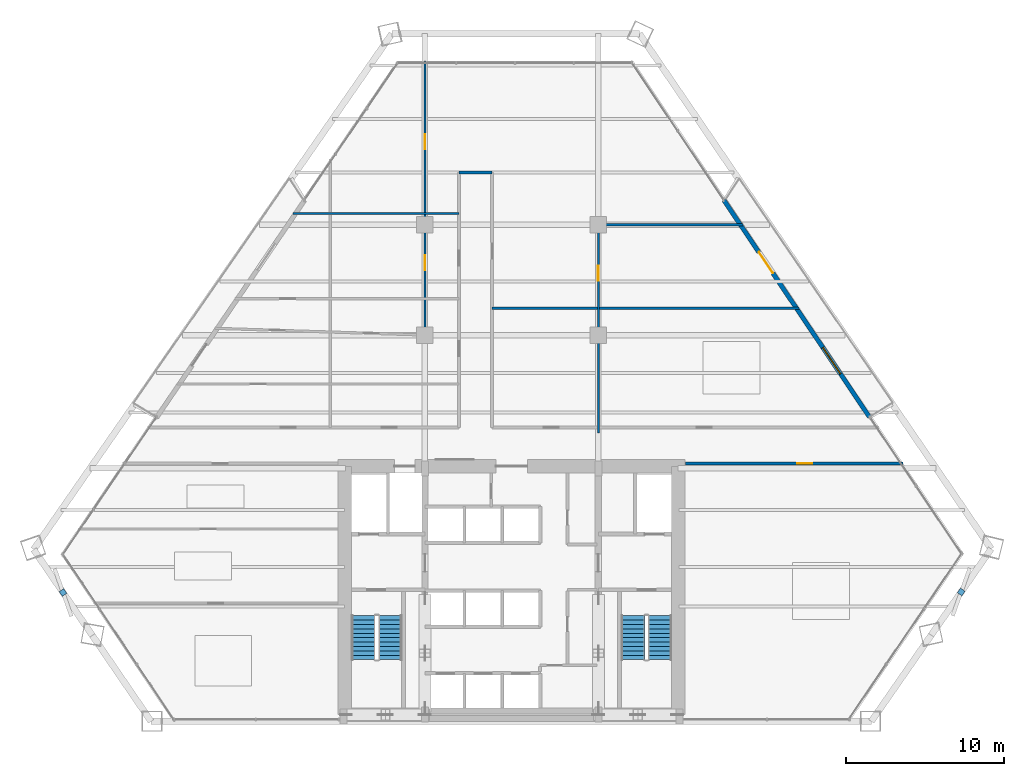
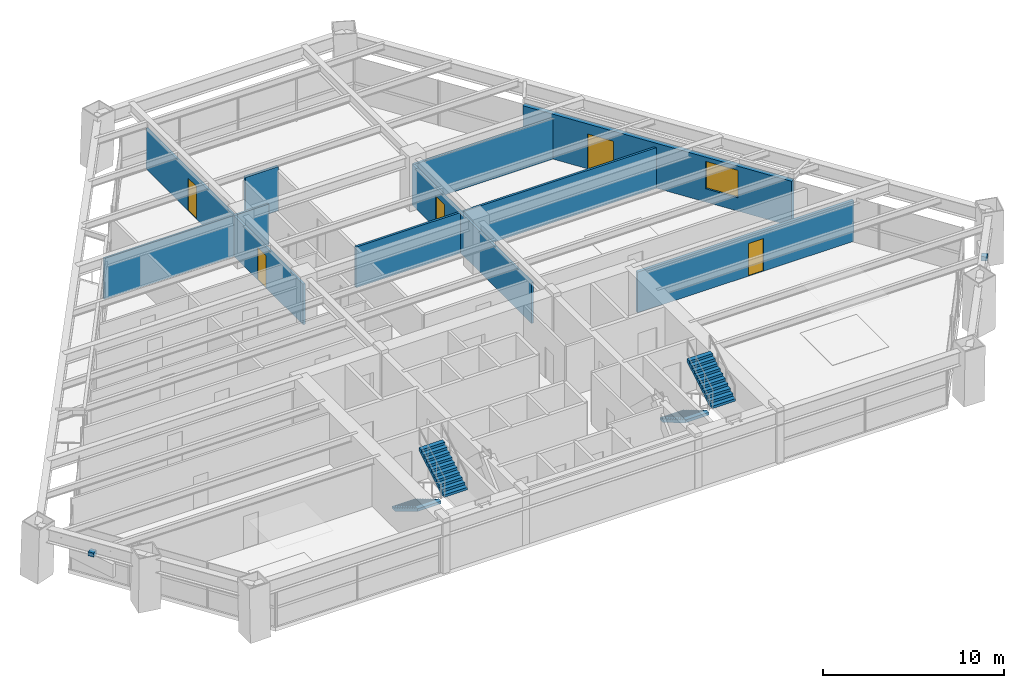
# One storey, part 12 of 14: 8 walls, 5 doors, 4 stair flights, 2 discrete accessories, 1 window, 6 openings, 2 elements without a shape of their own.
"""IFC4 building model written with IfcOpenShell, lengths in metres."""

from ifc_helpers import new_model, si_unit, direction, frame, frame_2d, origin, origin_2d, place, context, subcontext, project, spatial, polyline, rectangle, outline, extrude, source, transform, mapped, material, layer, layer_set, type_object, type_shapes, element, fill, aggregate, save


model = new_model("IFC4")

# Units and contexts
model_context = context("Model", 3, precision=1e-05, world=origin(), true_north=direction((0.0, 1.0)))
body_context = subcontext(model_context, "Body", "Model", "MODEL_VIEW")
ifc_project = project(units=[si_unit("LENGTHUNIT", "METRE"), si_unit("AREAUNIT", "SQUARE_METRE"), si_unit("VOLUMEUNIT", "CUBIC_METRE"), si_unit("PLANEANGLEUNIT", "RADIAN"), si_unit("MASSUNIT", "GRAM", prefix="KILO")], contexts=[model_context])

# Site, building, storey
site_placement = place(None, origin())
site = spatial("IfcSite", under=ifc_project, at=site_placement, CompositionType="ELEMENT")
building_placement = place(site_placement, origin())
building = spatial("IfcBuilding", under=site, at=building_placement, Name="Varnakhor Terracotta Tower", CompositionType="ELEMENT")
storey_placement = place(building_placement, frame((0.0, 0.0, 46.0)))
storey = spatial("IfcBuildingStorey", under=building, at=storey_placement, Name="L10", CompositionType="ELEMENT", Elevation=46.0)

# Wall, opening, door
ifc_material_1 = material(Name="Fire-Rated Gypsum Stud Partition", Category="gypsum")
ifc_layer_1 = layer(ifc_material_1, 0.18505859375, Name="Fire-Rated Gypsum Stud Partition")
ifc_layer_set_1 = layer_set([ifc_layer_1], Name="Fire-Rated Gypsum Stud Partition")
wall_type_1 = type_object("IfcWallType", Name="WAL-CORR-185", PredefinedType="PARTITIONING", material=ifc_layer_set_1)
wall_1_placement = place(storey_placement, frame((11.02001953125, 16.35009765625, 0.0), z_axis=(0.0, 0.0, 1.0), x_axis=(1.0, 0.0, 0.0)))
wall_1 = element("IfcWall", 1, at=wall_1_placement, inside=storey, type_object=wall_type_1, Name="L10 South East Corridor Wall", PredefinedType="PARTITIONING", context=body_context, shape_type="SweptSolid", body=[
    extrude(rectangle(XDim=13.809326171875, YDim=0.18505859375, at=frame_2d((6.90478515625, 0.0))), origin(), (0.0, 0.0, 1.0), 2.7470703125),
])
opening_1_placement = place(wall_1_placement, frame((7.086181640625, 0.0, 0.0)))
opening_1 = element("IfcOpeningElement", 2, at=opening_1_placement, cuts=wall_1, Name="Opening DR-94", PredefinedType="OPENING", context=body_context, shape_type="SweptSolid", body=[
    extrude(rectangle(XDim=0.949951171875, YDim=2.199951171875, at=frame_2d((0.47509765625, 1.10009765625))), frame((0.0, 0.1025390625, 0.0), z_axis=(0.0, -1.0, 0.0), x_axis=(1.0, 0.0, 0.0)), (0.0, 0.0, 1.0), 0.205078125),
])
ifc_material_2 = material(Name="Acoustic Glazed-Vision Timber Office Door", Category="wood")
door_type_1 = type_object("IfcDoorType", Name="DR-OFF-950X2200", OperationType="NOTDEFINED", PredefinedType="DOOR", material=ifc_material_2)
shared_shape_1 = source(origin(), body_context, "Body", "SweptSolid", [
    extrude(rectangle(XDim=0.949951171875, YDim=2.199951171875, at=frame_2d((0.47509765625, 1.10009765625))), frame((0.0, 0.02490234375, 0.0), z_axis=(0.0, -1.0, 0.0), x_axis=(1.0, 0.0, 0.0)), (0.0, 0.0, 1.0), 0.050048828125),
])
type_shapes(door_type_1, [shared_shape_1])
door_1_placement = place(opening_1_placement, origin())
door_1 = element("IfcDoor", 3, at=door_1_placement, inside=storey, type_object=door_type_1, Name="L10 SE Suite Door", OperationType="SINGLE_SWING_RIGHT", OverallHeight=2.199951171875, OverallWidth=0.949951171875, PredefinedType="DOOR", context=body_context, shape_type="MappedRepresentation", body=[
    mapped(shared_shape_1, transform((0.0, 0.0, 0.0), scale=1.0)),
])
fill(opening_1, door_1)

# Wall
wall_2_placement = place(storey_placement, frame((-3.35009765625, 34.800048828125, 0.0), z_axis=(0.0, 0.0, 1.0), x_axis=(1.0, 0.0, 0.0)))
element("IfcWall", 4, at=wall_2_placement, inside=storey, type_object=wall_type_1, Name="L10 Spine North End Wall", PredefinedType="PARTITIONING", context=body_context, shape_type="SweptSolid", body=[
    extrude(rectangle(XDim=2.10009765625, YDim=0.18505859375, at=frame_2d((1.050048828125, 0.0))), origin(), (0.0, 0.0, 1.0), 2.97900390625),
])

# Wall, openings, door, window
ifc_material_3 = material(Name="Extruded Architectural Terracotta Assembly", Category="masonry")
ifc_layer_2 = layer(ifc_material_3, 0.280029296875, Name="Extruded Architectural Terracotta Assembly")
ifc_layer_set_2 = layer_set([ifc_layer_2], Name="Extruded Architectural Terracotta Assembly")
wall_type_2 = type_object("IfcWallType", Name="WAL-EXT-TERRACOTTA-280", PredefinedType="SOLIDWALL", material=ifc_layer_set_2)
wall_3_placement = place(storey_placement, frame((13.4609375, 33.053466796875, 0.0), z_axis=(0.0, 0.0, 1.0), x_axis=(0.557313833553, -0.830301927573, 0.0)))
wall_3 = element("IfcWall", 5, at=wall_3_placement, inside=storey, type_object=wall_type_2, Name="L10 E Loggia Insulated Terracotta Wall", PredefinedType="SOLIDWALL", context=body_context, shape_type="SweptSolid", body=[
    extrude(rectangle(XDim=16.559326171875, YDim=0.280029296875, at=frame_2d((8.27978515625, 0.0))), origin(), (0.0, 0.0, 1.0), 3.030029296875),
])
opening_2_placement = place(wall_3_placement, frame((3.974365234375, 0.0, 0.0)))
opening_2 = element("IfcOpeningElement", 6, at=opening_2_placement, cuts=wall_3, Name="Opening DR-62", PredefinedType="OPENING", context=body_context, shape_type="SweptSolid", body=[
    extrude(rectangle(XDim=1.60009765625, YDim=2.35009765625, at=frame_2d((0.800048828125, 1.175048828125))), frame((0.0, 0.14990234375, 0.0), z_axis=(0.0, -1.0, 0.0), x_axis=(1.0, 0.0, 0.0)), (0.0, 0.0, 1.0), 0.300048828125),
])
opening_3_placement = place(wall_3_placement, frame((11.260498046875, 0.0, 0.89990234375)))
opening_3 = element("IfcOpeningElement", 7, at=opening_3_placement, cuts=wall_3, Name="Opening WN-26", PredefinedType="OPENING", context=body_context, shape_type="SweptSolid", body=[
    extrude(rectangle(XDim=2.0, YDim=1.85009765625, at=frame_2d((1.0, 0.925048828125))), frame((0.0, 0.14990234375, 0.0), z_axis=(0.0, -1.0, 0.0), x_axis=(1.0, 0.0, 0.0)), (0.0, 0.0, 1.0), 0.300048828125),
])
ifc_material_4 = material(Name="Thermally Broken Sliding Glass Loggia Door", Category="glass")
door_type_2 = type_object("IfcDoorType", Name="DR-EXT-LOGGIA-1600X2350", OperationType="NOTDEFINED", PredefinedType="DOOR", material=ifc_material_4)
shared_shape_2 = source(origin(), body_context, "Body", "SweptSolid", [
    extrude(rectangle(XDim=1.60009765625, YDim=2.35009765625, at=frame_2d((0.800048828125, 1.175048828125))), frame((0.0, 0.02490234375, 0.0), z_axis=(0.0, -1.0, 0.0), x_axis=(1.0, 0.0, 0.0)), (0.0, 0.0, 1.0), 0.050048828125),
])
type_shapes(door_type_2, [shared_shape_2])
door_2_placement = place(opening_2_placement, origin())
door_2 = element("IfcDoor", 8, at=door_2_placement, inside=storey, type_object=door_type_2, Name="L10 E Recessed Loggia Sliding Door", OperationType="SLIDING_TO_RIGHT", OverallHeight=2.35009765625, OverallWidth=1.60009765625, PredefinedType="DOOR", context=body_context, shape_type="MappedRepresentation", body=[
    mapped(shared_shape_2, transform((0.0, 0.0, 0.0), scale=1.0)),
])
fill(opening_2, door_2)
ifc_material_5 = material(Name="Solar-Control Low-E Insulated Glass Unit", Category="glass")
window_type = type_object("IfcWindowType", Name="WIN-OFF-2200X2100", PartitioningType="SINGLE_PANEL", PredefinedType="WINDOW", material=ifc_material_5)
shared_shape_3 = source(origin(), body_context, "Body", "SweptSolid", [
    extrude(rectangle(XDim=2.0, YDim=1.85009765625, at=frame_2d((1.0, 0.925048828125))), frame((0.0, 0.030029296875, 0.0), z_axis=(0.0, -1.0, 0.0), x_axis=(1.0, 0.0, 0.0)), (0.0, 0.0, 1.0), 0.06005859375),
])
type_shapes(window_type, [shared_shape_3])
window_placement = place(opening_3_placement, origin())
window = element("IfcWindow", 9, at=window_placement, inside=storey, type_object=window_type, Name="L10 E Facet Punched Window", OverallHeight=1.85009765625, OverallWidth=2.0, PartitioningType="SINGLE_PANEL", PredefinedType="WINDOW", context=body_context, shape_type="MappedRepresentation", body=[
    mapped(shared_shape_3, transform((0.0, 0.0, 0.0), scale=1.0)),
])
fill(opening_3, window)

# Wall, openings, doors
ifc_material_6 = material(Name="Acoustic Metal-Stud Partition", Category="gypsum")
ifc_layer_3 = layer(ifc_material_6, 0.139892578125, Name="Acoustic Metal-Stud Partition")
ifc_layer_set_3 = layer_set([ifc_layer_3], Name="Acoustic Metal-Stud Partition")
wall_type_3 = type_object("IfcWallType", Name="WAL-PART-140", PredefinedType="PARTITIONING", material=ifc_layer_set_3)
wall_4_placement = place(storey_placement, frame((-5.5, 24.5, 0.0), z_axis=(0.0, 0.0, 1.0), x_axis=(0.0, 1.0, 0.0)))
wall_4 = element("IfcWall", 10, at=wall_4_placement, inside=storey, type_object=wall_type_3, Name="L10 West Upper Column Wall", PredefinedType="PARTITIONING", context=body_context, shape_type="SweptSolid", body=[
    extrude(rectangle(XDim=17.37109375, YDim=0.139892578125, at=frame_2d((8.685546875, 0.0))), origin(), (0.0, 0.0, 1.0), 2.7470703125),
])
opening_4_placement = place(wall_4_placement, frame((11.77734375, 0.0, 0.0)))
opening_4 = element("IfcOpeningElement", 11, at=opening_4_placement, cuts=wall_4, Name="Opening DR-94", PredefinedType="OPENING", context=body_context, shape_type="SweptSolid", body=[
    extrude(rectangle(XDim=0.949951171875, YDim=2.199951171875, at=frame_2d((0.47509765625, 1.10009765625))), frame((0.0, 0.080078125, 0.0), z_axis=(0.0, -1.0, 0.0), x_axis=(1.0, 0.0, 0.0)), (0.0, 0.0, 1.0), 0.159912109375),
])
opening_5_placement = place(wall_4_placement, frame((4.100341796875, 0.0, 0.0)))
opening_5 = element("IfcOpeningElement", 12, at=opening_5_placement, cuts=wall_4, Name="Opening DR-94", PredefinedType="OPENING", context=body_context, shape_type="SweptSolid", body=[
    extrude(rectangle(XDim=0.949951171875, YDim=2.199951171875, at=frame_2d((0.47509765625, 1.10009765625))), frame((0.0, 0.080078125, 0.0), z_axis=(0.0, -1.0, 0.0), x_axis=(1.0, 0.0, 0.0)), (0.0, 0.0, 1.0), 0.159912109375),
])
door_3_placement = place(opening_4_placement, origin())
door_3 = element("IfcDoor", 13, at=door_3_placement, inside=storey, type_object=door_type_1, Name="L10 Trading Workplace East B19 Door", OperationType="SINGLE_SWING_RIGHT", OverallHeight=2.199951171875, OverallWidth=0.949951171875, PredefinedType="DOOR", context=body_context, shape_type="MappedRepresentation", body=[
    mapped(shared_shape_1, transform((0.0, 0.0, 0.0), scale=1.0)),
])
fill(opening_4, door_3)
door_4_placement = place(opening_5_placement, origin())
door_4 = element("IfcDoor", 14, at=door_4_placement, inside=storey, type_object=door_type_1, Name="L10 Client Reception Door", OperationType="SINGLE_SWING_LEFT", OverallHeight=2.199951171875, OverallWidth=0.949951171875, PredefinedType="DOOR", context=body_context, shape_type="MappedRepresentation", body=[
    mapped(shared_shape_1, transform((0.0, 0.0, 0.0), scale=1.0)),
])
fill(opening_5, door_4)

# Wall, opening, door
wall_5_placement = place(storey_placement, frame((5.5, 18.300048828125, 0.0), z_axis=(0.0, 0.0, 1.0), x_axis=(0.0, 1.0, 0.0)))
wall_5 = element("IfcWall", 15, at=wall_5_placement, inside=storey, type_object=wall_type_3, Name="L10 East Lower Column Wall", PredefinedType="PARTITIONING", context=body_context, shape_type="SweptSolid", body=[
    extrude(rectangle(XDim=13.199951171875, YDim=0.139892578125, at=frame_2d((6.60009765625, 0.0))), origin(), (0.0, 0.0, 1.0), 2.7470703125),
])
opening_6_placement = place(wall_5_placement, frame((9.64208984375, 0.0, 0.0)))
opening_6 = element("IfcOpeningElement", 16, at=opening_6_placement, cuts=wall_5, Name="Opening DR-94", PredefinedType="OPENING", context=body_context, shape_type="SweptSolid", body=[
    extrude(rectangle(XDim=0.949951171875, YDim=2.199951171875, at=frame_2d((0.47509765625, 1.10009765625))), frame((0.0, 0.080078125, 0.0), z_axis=(0.0, -1.0, 0.0), x_axis=(1.0, 0.0, 0.0)), (0.0, 0.0, 1.0), 0.159912109375),
])
door_5_placement = place(opening_6_placement, origin())
door_5 = element("IfcDoor", 17, at=door_5_placement, inside=storey, type_object=door_type_1, Name="L10 Seminar Training Room Door", OperationType="SINGLE_SWING_RIGHT", OverallHeight=2.199951171875, OverallWidth=0.949951171875, PredefinedType="DOOR", context=body_context, shape_type="MappedRepresentation", body=[
    mapped(shared_shape_1, transform((0.0, 0.0, 0.0), scale=1.0)),
])
fill(opening_6, door_5)

# Walls
wall_6_placement = place(storey_placement, frame((5.5, 31.5, 0.0), z_axis=(0.0, 0.0, 1.0), x_axis=(1.0, 0.0, 0.0)))
element("IfcWall", 18, at=wall_6_placement, inside=storey, type_object=wall_type_3, Name="L10 North East Column Wall", PredefinedType="PARTITIONING", context=body_context, shape_type="SweptSolid", body=[
    extrude(rectangle(XDim=9.160400390625, YDim=0.139892578125, at=frame_2d((4.580078125, 0.0))), origin(), (0.0, 0.0, 1.0), 2.7470703125),
])
wall_7_placement = place(storey_placement, frame((-13.864013671875, 32.199951171875, 0.0), z_axis=(0.0, 0.0, 1.0), x_axis=(1.0, 0.0, 0.0)))
element("IfcWall", 19, at=wall_7_placement, inside=storey, type_object=wall_type_3, Name="L10 West Wing Cut 3", PredefinedType="PARTITIONING", context=body_context, shape_type="SweptSolid", body=[
    extrude(rectangle(XDim=10.513916015625, YDim=0.139892578125, at=frame_2d((5.2568359375, 0.0))), origin(), (0.0, 0.0, 1.0), 2.7470703125),
])
wall_8_placement = place(storey_placement, frame((-1.25, 26.199951171875, 0.0), z_axis=(0.0, 0.0, 1.0), x_axis=(1.0, 0.0, 0.0)))
element("IfcWall", 20, at=wall_8_placement, inside=storey, type_object=wall_type_3, Name="L10 East Wing Cut 1", PredefinedType="PARTITIONING", context=body_context, shape_type="SweptSolid", body=[
    extrude(rectangle(XDim=19.4677734375, YDim=0.139892578125, at=frame_2d((9.73388671875, 0.0))), origin(), (0.0, 0.0, 1.0), 2.7470703125),
])

# Stair, stair flights
ifc_material_7 = material(Name="Concrete C40/50", Category="concrete")
stair_type = type_object("IfcStairType", Name="STR-CORE-OFFICE-1500", PredefinedType="HALF_TURN_STAIR", material=ifc_material_7)
stair_1_placement = place(storey_placement, origin())
stair_1 = element("IfcStair", 21, at=stair_1_placement, inside=storey, type_object=stair_type, Name="L10 Core Exit Stair ST-1", PredefinedType="HALF_TURN_STAIR")
stair_flight_type = type_object("IfcStairFlightType", Name="FLT-CORE-1500", PredefinedType="STRAIGHT", material=ifc_material_7)
stair_flight_1_placement = place(storey_placement, frame((-9.39990234375, 6.7099609375, 0.0), z_axis=(0.0, 0.0, 1.0), x_axis=(0.0, -1.0, 0.0)))
stair_flight_1 = element("IfcStairFlight", 22, at=stair_flight_1_placement, type_object=stair_flight_type, Name="ST-1 flight 1", NumberOfRisers=11, NumberOfTreads=10, PredefinedType="STRAIGHT", RiserHeight=0.168181818, TreadLength=0.28, context=body_context, shape_type="SweptSolid", body=[
    extrude(outline(polyline([(0.0, 0.0), (0.0, 0.168212890625), (0.280029296875, 0.168212890625), (0.280029296875, 0.33642578125), (0.56005859375, 0.33642578125), (0.56005859375, 0.504638671875), (0.840087890625, 0.504638671875), (0.840087890625, 0.672607421875), (1.1201171875, 0.672607421875), (1.1201171875, 0.8408203125), (1.39990234375, 0.8408203125), (1.39990234375, 1.009033203125), (1.679931640625, 1.009033203125), (1.679931640625, 1.17724609375), (1.9599609375, 1.17724609375), (1.9599609375, 1.345458984375), (2.239990234375, 1.345458984375), (2.239990234375, 1.513671875), (2.52001953125, 1.513671875), (2.52001953125, 1.681884765625), (2.800048828125, 1.681884765625), (2.800048828125, 1.85009765625), (2.800048828125, 1.495361328125), (0.310546875, 0.0), (0.0, 0.0)])), frame((0.0, 0.75, 0.0), z_axis=(0.0, -1.0, 0.0), x_axis=(1.0, 0.0, 0.0)), (0.0, 0.0, 1.0), 1.5),
])
stair_flight_2_placement = place(storey_placement, frame((-7.699951171875, 3.909912109375, 1.85009765625), z_axis=(0.0, 0.0, 1.0), x_axis=(0.0, 1.0, 0.0)))
stair_flight_2 = element("IfcStairFlight", 23, at=stair_flight_2_placement, type_object=stair_flight_type, Name="ST-1 flight 2", NumberOfRisers=11, NumberOfTreads=10, PredefinedType="STRAIGHT", RiserHeight=0.168181818, TreadLength=0.28, context=body_context, shape_type="SweptSolid", body=[
    extrude(outline(polyline([(0.0, 0.0), (0.0, 0.168212890625), (0.280029296875, 0.168212890625), (0.280029296875, 0.33642578125), (0.56005859375, 0.33642578125), (0.56005859375, 0.504638671875), (0.840087890625, 0.504638671875), (0.840087890625, 0.672607421875), (1.1201171875, 0.672607421875), (1.1201171875, 0.8408203125), (1.39990234375, 0.8408203125), (1.39990234375, 1.009033203125), (1.679931640625, 1.009033203125), (1.679931640625, 1.17724609375), (1.9599609375, 1.17724609375), (1.9599609375, 1.345458984375), (2.239990234375, 1.345458984375), (2.239990234375, 1.513671875), (2.52001953125, 1.513671875), (2.52001953125, 1.681884765625), (2.800048828125, 1.681884765625), (2.800048828125, 1.85009765625), (2.800048828125, 1.495361328125), (0.310546875, 0.0), (0.0, 0.0)])), frame((0.0, 0.75, 0.0), z_axis=(0.0, -1.0, 0.0), x_axis=(1.0, 0.0, 0.0)), (0.0, 0.0, 1.0), 1.5),
])
aggregate(stair_1, [stair_flight_1, stair_flight_2])

stair_2_placement = place(storey_placement, origin())
stair_2 = element("IfcStair", 24, at=stair_2_placement, inside=storey, type_object=stair_type, Name="L10 Core Exit Stair ST-2", PredefinedType="HALF_TURN_STAIR")
stair_flight_3_placement = place(storey_placement, frame((7.699951171875, 6.7099609375, 0.0), z_axis=(0.0, 0.0, 1.0), x_axis=(0.0, -1.0, 0.0)))
stair_flight_3 = element("IfcStairFlight", 25, at=stair_flight_3_placement, type_object=stair_flight_type, Name="ST-2 flight 1", NumberOfRisers=11, NumberOfTreads=10, PredefinedType="STRAIGHT", RiserHeight=0.168181818, TreadLength=0.28, context=body_context, shape_type="SweptSolid", body=[
    extrude(outline(polyline([(0.0, 0.0), (0.0, 0.168212890625), (0.280029296875, 0.168212890625), (0.280029296875, 0.33642578125), (0.56005859375, 0.33642578125), (0.56005859375, 0.504638671875), (0.840087890625, 0.504638671875), (0.840087890625, 0.672607421875), (1.1201171875, 0.672607421875), (1.1201171875, 0.8408203125), (1.39990234375, 0.8408203125), (1.39990234375, 1.009033203125), (1.679931640625, 1.009033203125), (1.679931640625, 1.17724609375), (1.9599609375, 1.17724609375), (1.9599609375, 1.345458984375), (2.239990234375, 1.345458984375), (2.239990234375, 1.513671875), (2.52001953125, 1.513671875), (2.52001953125, 1.681884765625), (2.800048828125, 1.681884765625), (2.800048828125, 1.85009765625), (2.800048828125, 1.495361328125), (0.310546875, 0.0), (0.0, 0.0)])), frame((0.0, 0.75, 0.0), z_axis=(0.0, -1.0, 0.0), x_axis=(1.0, 0.0, 0.0)), (0.0, 0.0, 1.0), 1.5),
])
stair_flight_4_placement = place(storey_placement, frame((9.39990234375, 3.909912109375, 1.85009765625), z_axis=(0.0, 0.0, 1.0), x_axis=(0.0, 1.0, 0.0)))
stair_flight_4 = element("IfcStairFlight", 26, at=stair_flight_4_placement, type_object=stair_flight_type, Name="ST-2 flight 2", NumberOfRisers=11, NumberOfTreads=10, PredefinedType="STRAIGHT", RiserHeight=0.168181818, TreadLength=0.28, context=body_context, shape_type="SweptSolid", body=[
    extrude(outline(polyline([(0.0, 0.0), (0.0, 0.168212890625), (0.280029296875, 0.168212890625), (0.280029296875, 0.33642578125), (0.56005859375, 0.33642578125), (0.56005859375, 0.504638671875), (0.840087890625, 0.504638671875), (0.840087890625, 0.672607421875), (1.1201171875, 0.672607421875), (1.1201171875, 0.8408203125), (1.39990234375, 0.8408203125), (1.39990234375, 1.009033203125), (1.679931640625, 1.009033203125), (1.679931640625, 1.17724609375), (1.9599609375, 1.17724609375), (1.9599609375, 1.345458984375), (2.239990234375, 1.345458984375), (2.239990234375, 1.513671875), (2.52001953125, 1.513671875), (2.52001953125, 1.681884765625), (2.800048828125, 1.681884765625), (2.800048828125, 1.85009765625), (2.800048828125, 1.495361328125), (0.310546875, 0.0), (0.0, 0.0)])), frame((0.0, 0.75, 0.0), z_axis=(0.0, -1.0, 0.0), x_axis=(1.0, 0.0, 0.0)), (0.0, 0.0, 1.0), 1.5),
])
aggregate(stair_2, [stair_flight_3, stair_flight_4])

# Discrete accessories
ifc_material_8 = material(Name="Stainless Steel Fixing Bracket", Category="steel")
discrete_accessory_type = type_object("IfcDiscreteAccessoryType", Name="BRACKET-TERRACOTTA-SCREEN", PredefinedType="BRACKET", material=ifc_material_8)
shared_shape_4 = source(origin(), body_context, "Body", "SweptSolid", [
    extrude(rectangle(XDim=0.35009765625, YDim=0.35009765625, at=origin_2d()), origin(), (0.0, 0.0, 1.0), 0.280029296875),
])
type_shapes(discrete_accessory_type, [shared_shape_4])
for number, where, z_axis, x_axis, name in (
    (27, (28.507568359375, 8.205810546875, 2.39306640625), (0.0, 0.0, 1.0), (0.570412562453, 0.821358331422, 0.0), "L10 E Screen Fixing Bracket"),
    (28, (-28.448974609375, 8.17431640625, 2.39306640625), (0.0, 0.0, 1.0), (0.563958515726, -0.82580311972, 0.0), "L10 W Screen Fixing Bracket"),
):
    element("IfcDiscreteAccessory", number, at=place(storey_placement, frame(where, z_axis=z_axis, x_axis=x_axis)), inside=storey, type_object=discrete_accessory_type, Name=name, PredefinedType="BRACKET", context=body_context, shape_type="MappedRepresentation", body=[
        mapped(shared_shape_4, transform((0.0, 0.0, 0.0), scale=1.0)),
    ])

save(model, "model.ifc")
